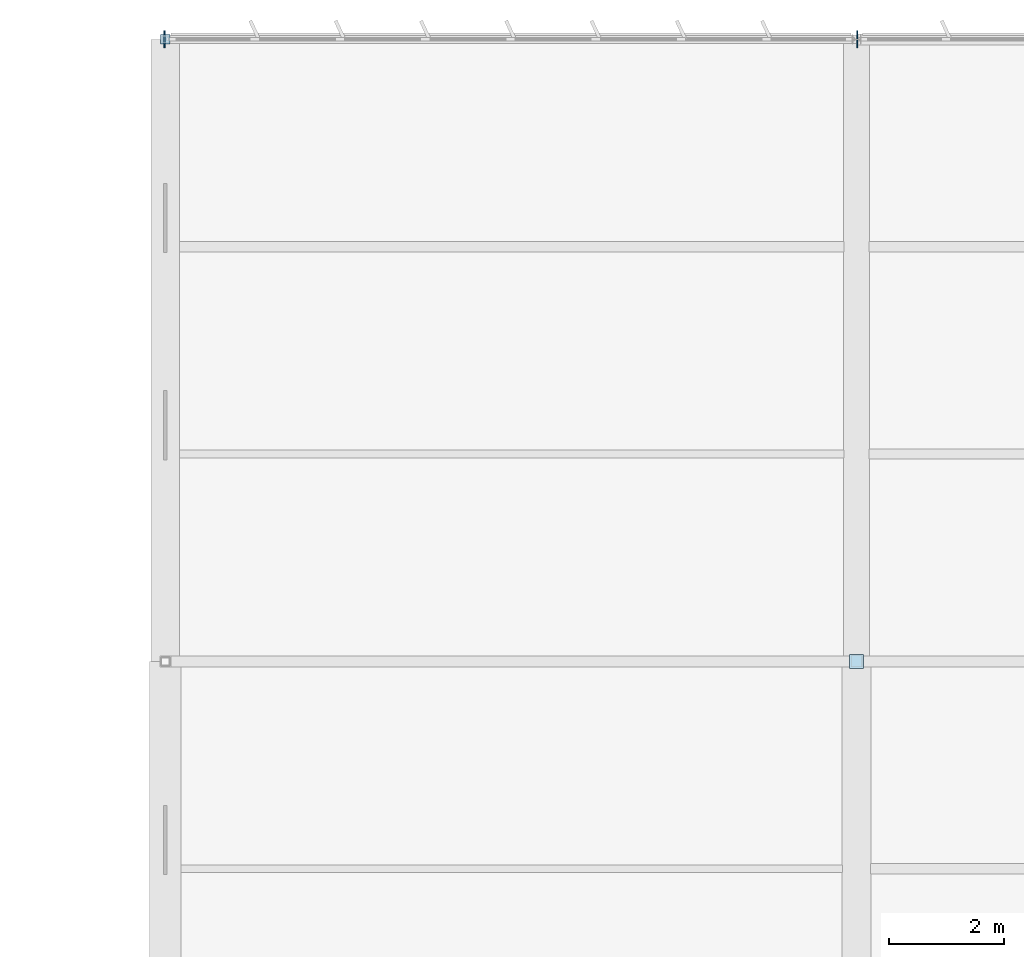
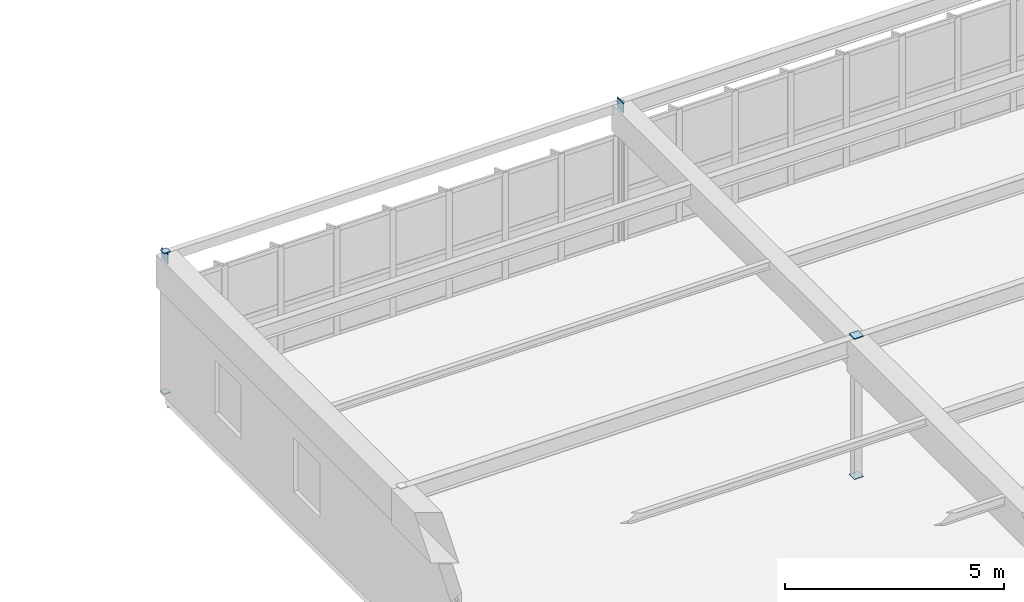
# One storey, part 99 of 128: 6 plates.
"""IFC4 building model written with IfcOpenShell, lengths in metres."""

from ifc_helpers import new_model, si_unit, direction, frame, origin, origin_2d, place, context, subcontext, project, spatial, rectangle, extrude, material, layer, layer_set, type_object, element, save


model = new_model("IFC4")

# Units and contexts
model_context = context("Model", 3, precision=1e-05, world=origin(), true_north=direction((0.0, 1.0)))
body_context = subcontext(model_context, "Body", "Model", "MODEL_VIEW")
ifc_project = project(units=[si_unit("LENGTHUNIT", "METRE"), si_unit("AREAUNIT", "SQUARE_METRE"), si_unit("VOLUMEUNIT", "CUBIC_METRE"), si_unit("PLANEANGLEUNIT", "RADIAN"), si_unit("MASSUNIT", "GRAM", prefix="KILO")], contexts=[model_context])

# Site, building, storey
site_placement = place(None, origin())
site = spatial("IfcSite", under=ifc_project, at=site_placement, CompositionType="ELEMENT")
building_placement = place(site_placement, origin())
building = spatial("IfcBuilding", under=site, at=building_placement, Name="Tarnwether General Hospital", CompositionType="ELEMENT")
storey_placement = place(building_placement, frame((0.0, 0.0, 14.39990234375)))
storey = spatial("IfcBuildingStorey", under=building, at=storey_placement, Name="L03", CompositionType="ELEMENT", Elevation=14.39990234375)

# Plates
ifc_material = material(Name="Steel Grade 350 (350 MPa)", Category="steel")
ifc_layer = layer(ifc_material, 0.02490234375)
ifc_layer_set = layer_set([ifc_layer], Name="Steel Grade 350 (350 MPa)")
plate_type = type_object("IfcPlateType", Name="PT-GUS2", PredefinedType="USERDEFINED", material=ifc_layer_set)
for number, where, z_axis, x_axis, name in (
    (1, (144.0, 126.0, -0.02490234375), (0.0, 0.0, 1.0), (1.0, 0.0, 0.0), "Hollow Section Welded End Cap Plate 0311"),
    (2, (144.0, 126.0, 3.900146484375), (0.0, 0.0, 1.0), (1.0, 0.0, 0.0), "Hollow Section Welded End Cap Plate 0312"),
):
    element("IfcPlate", number, at=place(storey_placement, frame(where, z_axis=z_axis, x_axis=x_axis)), inside=storey, type_object=plate_type, Name=name, ObjectType="GUSSET", PredefinedType="USERDEFINED", context=body_context, shape_type="SweptSolid", body=[
        extrude(rectangle(XDim=0.1650390625, YDim=0.1650390625, at=origin_2d()), origin(), (0.0, 0.0, 1.0), 0.02490234375),
    ])
for number, where, z_axis, x_axis, name in (
    (3, (156.0, 115.199951171875, -0.02490234375), (0.0, 0.0, 1.0), (1.0, 0.0, 0.0), "Hollow Section Welded End Cap Plate 0355"),
    (4, (156.0, 115.199951171875, 3.900146484375), (0.0, 0.0, 1.0), (1.0, 0.0, 0.0), "Hollow Section Welded End Cap Plate 0356"),
):
    element("IfcPlate", number, at=place(storey_placement, frame(where, z_axis=z_axis, x_axis=x_axis)), inside=storey, type_object=plate_type, Name=name, ObjectType="GUSSET", PredefinedType="USERDEFINED", context=body_context, shape_type="SweptSolid", body=[
        extrude(rectangle(XDim=0.239990234375, YDim=0.239990234375, at=origin_2d()), origin(), (0.0, 0.0, 1.0), 0.02490234375),
    ])
for number, where, z_axis, x_axis, name in (
    (5, (143.987548828125, 126.0, 3.630126953125), (0.0, 0.0, 1.0), (1.0, 0.0, 0.0), "Hollow Section Welded End Cap Plate 0983"),
    (6, (156.012451171875, 126.0, 3.630126953125), (0.0, 0.0, 1.0), (1.0, 0.0, 0.0), "Hollow Section Welded End Cap Plate 0984"),
):
    element("IfcPlate", number, at=place(storey_placement, frame(where, z_axis=z_axis, x_axis=x_axis)), inside=storey, type_object=plate_type, Name=name, ObjectType="GUSSET", PredefinedType="USERDEFINED", context=body_context, shape_type="SweptSolid", body=[
        extrude(rectangle(XDim=0.02490234375, YDim=0.2900390625, at=origin_2d()), origin(), (0.0, 0.0, 1.0), 0.2900390625),
    ])

save(model, "model.ifc")
